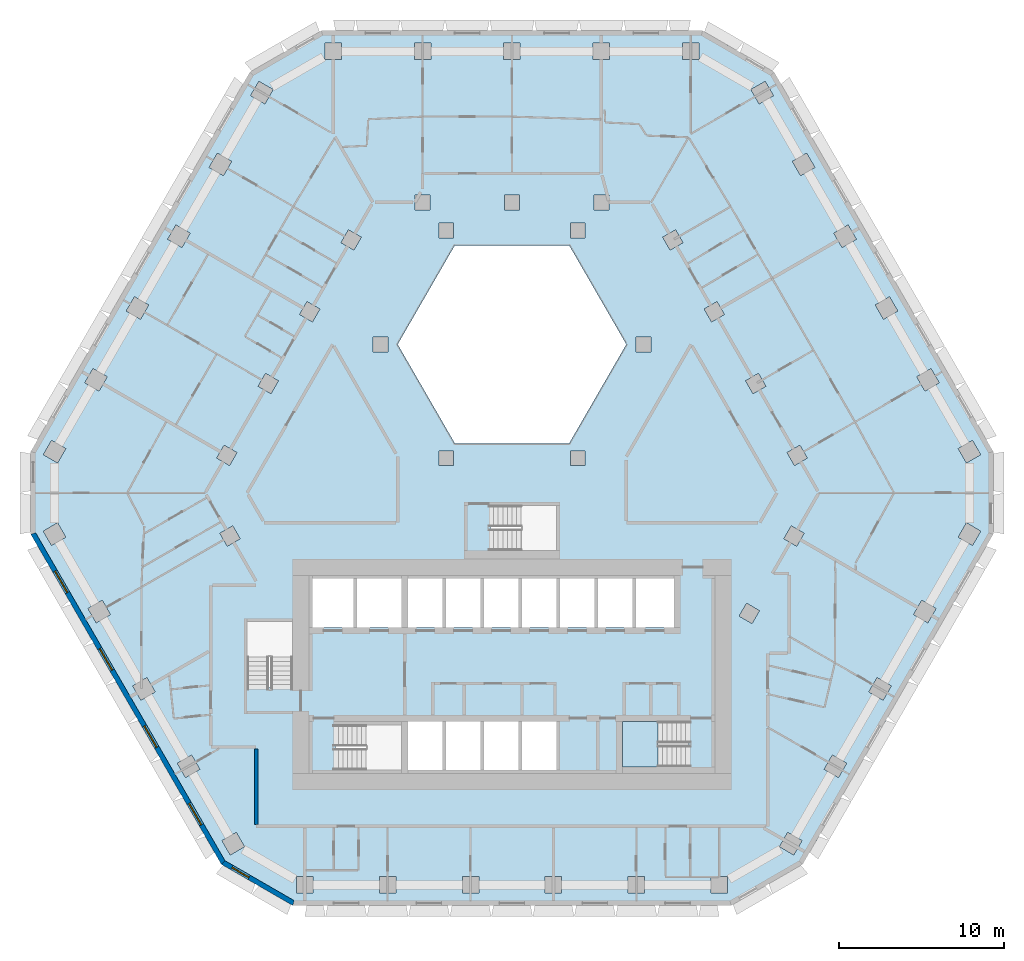
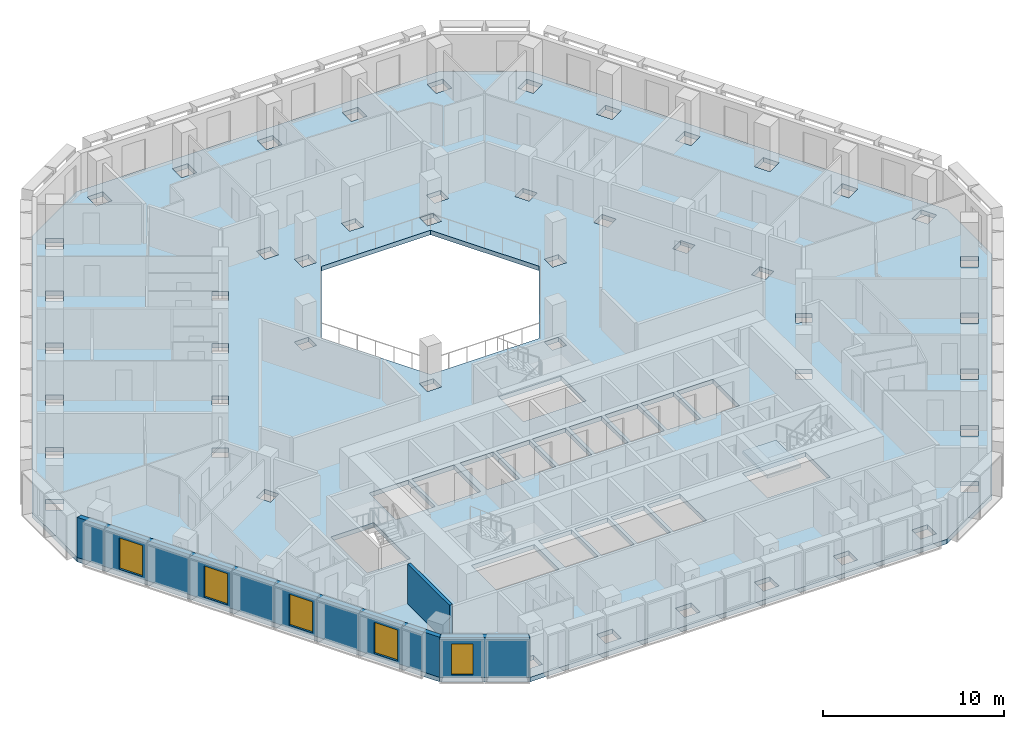
# One storey, part 2 of 16: 5 windows, 3 walls, 2 slabs, 5 openings, 1 element without a shape of its own.
"""IFC4 building model written with IfcOpenShell, lengths in metres."""

from ifc_helpers import new_model, si_unit, direction, frame, frame_2d, origin, place, context, subcontext, project, spatial, polyline, rectangle, outline, extrude, material, layer, layer_set, type_object, element, fill, aggregate, save


model = new_model("IFC4")

# Units and contexts
model_context = context("Model", 3, precision=1e-05, world=origin(), true_north=direction((0.0, 1.0)))
body_context = subcontext(model_context, "Body", "Model", "MODEL_VIEW")
ifc_project = project(units=[si_unit("LENGTHUNIT", "METRE"), si_unit("AREAUNIT", "SQUARE_METRE"), si_unit("VOLUMEUNIT", "CUBIC_METRE"), si_unit("PLANEANGLEUNIT", "RADIAN"), si_unit("MASSUNIT", "GRAM", prefix="KILO")], contexts=[model_context])

# Site, building, storey
site_placement = place(None, origin())
site = spatial("IfcSite", under=ifc_project, at=site_placement, CompositionType="ELEMENT")
building_placement = place(site_placement, origin())
building = spatial("IfcBuilding", under=site, at=building_placement, Name="Beryl Residences", CompositionType="ELEMENT")
storey_placement = place(building_placement, frame((0.0, 0.0, 90.0)))
storey = spatial("IfcBuildingStorey", under=building, at=storey_placement, Name="L27", CompositionType="ELEMENT", Elevation=90.0)

# Slab
ifc_material_1 = material(Name="Concrete C40/50", Category="concrete")
ifc_layer_1 = layer(ifc_material_1, 0.300048828125)
ifc_layer_set_1 = layer_set([ifc_layer_1], Name="SL7 PT floor slab 300 mm C40/50")
slab_type_1 = type_object("IfcSlabType", Name="SL7 PT floor slab 300 mm C40/50", PredefinedType="FLOOR", material=ifc_layer_set_1)
slab_1_placement = place(storey_placement, frame((0.0, 0.0, -0.300048828125)))
element("IfcSlab", 1, at=slab_1_placement, inside=storey, type_object=slab_type_1, Name="L27 slab 1", PredefinedType="FLOOR", context=body_context, shape_type="SweptSolid", body=[
    extrude(outline(polyline([(29.156982421875, -3.5), (17.60888671875, -23.5), (13.279052734375, -26.0), (-13.279052734375, -26.0), (-17.60888671875, -23.5), (-29.156982421875, -3.5), (-29.156982421875, 1.5), (-15.876953125, 24.5), (-11.547119140625, 27.0), (11.547119140625, 27.0), (15.876953125, 24.5), (29.156982421875, 1.5), (29.156982421875, -3.5)]), holes=[polyline([(28.39697265625, 1.31591796875), (27.89697265625, 2.181884765625), (27.031005859375, 1.681884765625), (27.531005859375, 0.81591796875), (28.39697265625, 1.31591796875)]), polyline([(28.39697265625, -3.31591796875), (27.531005859375, -2.81591796875), (27.031005859375, -3.681884765625), (27.89697265625, -4.181884765625), (28.39697265625, -3.31591796875)]), polyline([(25.385009765625, 6.532958984375), (24.51904296875, 6.032958984375), (25.01904296875, 5.1669921875), (25.885009765625, 5.6669921875), (25.385009765625, 6.532958984375)]), polyline([(25.68994140625, -8.00390625), (24.823974609375, -7.50390625), (24.323974609375, -8.3701171875), (25.18994140625, -8.8701171875), (25.68994140625, -8.00390625)]), polyline([(22.873046875, 10.883056640625), (22.007080078125, 10.383056640625), (22.507080078125, 9.51708984375), (23.373046875, 10.01708984375), (22.873046875, 10.883056640625)]), polyline([(22.116943359375, -12.19189453125), (21.616943359375, -13.05810546875), (22.48291015625, -13.55810546875), (22.98291015625, -12.69189453125), (22.116943359375, -12.19189453125)]), polyline([(20.362060546875, 15.23291015625), (19.49609375, 14.73291015625), (19.99609375, 13.866943359375), (20.862060546875, 14.366943359375), (20.362060546875, 15.23291015625)]), polyline([(19.777099609375, -18.24609375), (20.277099609375, -17.3798828125), (19.410888671875, -16.8798828125), (18.910888671875, -17.74609375), (19.777099609375, -18.24609375)]), polyline([(17.85009765625, 19.5830078125), (16.98388671875, 19.0830078125), (17.48388671875, 18.217041015625), (18.35009765625, 18.717041015625), (17.85009765625, 19.5830078125)]), polyline([(17.443115234375, 1.888916015625), (16.6630859375, 1.43896484375), (17.113037109375, 0.658935546875), (17.89306640625, 1.10888671875), (17.443115234375, 1.888916015625)]), polyline([(17.697998046875, -3.447021484375), (16.91796875, -2.9970703125), (16.468017578125, -3.777099609375), (17.248046875, -4.22705078125), (17.697998046875, -3.447021484375)]), polyline([(17.570068359375, -22.068115234375), (16.7041015625, -21.568115234375), (16.2041015625, -22.43408203125), (17.070068359375, -22.93408203125), (17.570068359375, -22.068115234375)]), polyline([(15.839111328125, 23.06689453125), (15.339111328125, 23.93310546875), (14.472900390625, 23.43310546875), (14.972900390625, 22.56689453125), (15.839111328125, 23.06689453125)]), polyline([(14.930908203125, 6.239990234375), (14.15087890625, 5.7900390625), (14.60107421875, 5.010009765625), (15.381103515625, 5.4599609375), (14.930908203125, 6.239990234375)]), polyline([(14.990966796875, -8.135009765625), (14.2109375, -7.68505859375), (13.760986328125, -8.465087890625), (14.541015625, -8.9150390625), (14.990966796875, -8.135009765625)]), polyline([(13.05810546875, -25.25), (13.05810546875, -24.25), (12.05810546875, -24.25), (12.05810546875, -25.25), (13.05810546875, -25.25)]), polyline([(12.419921875, 10.590087890625), (11.639892578125, 10.139892578125), (12.090087890625, 9.360107421875), (12.8701171875, 9.81005859375), (12.419921875, 10.590087890625)]), polyline([(11.324951171875, 26.25), (10.324951171875, 26.25), (10.324951171875, 25.25), (11.324951171875, 25.25), (11.324951171875, 26.25)]), polyline([(10.699951171875, -14.85009765625), (6.699951171875, -14.85009765625), (6.699951171875, -17.60009765625), (10.699951171875, -17.60009765625), (10.699951171875, -14.85009765625)]), polyline([(9.1279296875, 14.489990234375), (9.577880859375, 13.7099609375), (10.35791015625, 14.159912109375), (9.907958984375, 14.93994140625), (9.1279296875, 14.489990234375)]), polyline([(9.800048828125, -6.199951171875), (7.5, -6.199951171875), (7.5, -9.14990234375), (9.800048828125, -9.14990234375), (9.800048828125, -6.199951171875)]), polyline([(8.4169921875, 7.550048828125), (8.4169921875, 8.449951171875), (7.51708984375, 8.449951171875), (7.51708984375, 7.550048828125), (8.4169921875, 7.550048828125)]), polyline([(8.034912109375, -25.25), (8.034912109375, -24.25), (7.034912109375, -24.25), (7.034912109375, -25.25), (8.034912109375, -25.25)]), polyline([(5.199951171875, -6.199951171875), (5.199951171875, -9.14990234375), (7.300048828125, -9.14990234375), (7.300048828125, -6.199951171875), (5.199951171875, -6.199951171875)]), polyline([(3.464111328125, 14.0), (-3.464111328125, 14.0), (-6.92822265625, 8.0), (-3.464111328125, 2.0), (3.464111328125, 2.0), (6.92822265625, 8.0), (3.464111328125, 14.0)]), polyline([(4.912109375, 26.25), (4.912109375, 25.25), (5.912109375, 25.25), (5.912109375, 26.25), (4.912109375, 26.25)]), polyline([(4.9619140625, 17.050048828125), (4.9619140625, 16.14990234375), (5.862060546875, 16.14990234375), (5.862060546875, 17.050048828125), (4.9619140625, 17.050048828125)]), polyline([(2.89990234375, -9.14990234375), (5.0, -9.14990234375), (5.0, -6.199951171875), (2.89990234375, -6.199951171875), (2.89990234375, -9.14990234375)]), polyline([(4.43408203125, 14.449951171875), (4.43408203125, 15.35009765625), (3.533935546875, 15.35009765625), (3.533935546875, 14.449951171875), (4.43408203125, 14.449951171875)]), polyline([(4.43408203125, 0.64990234375), (4.43408203125, 1.550048828125), (3.533935546875, 1.550048828125), (3.533935546875, 0.64990234375), (4.43408203125, 0.64990234375)]), polyline([(2.011962890625, -25.25), (3.011962890625, -25.25), (3.011962890625, -24.25), (2.011962890625, -24.25), (2.011962890625, -25.25)]), polyline([(0.60009765625, -6.199951171875), (0.60009765625, -9.14990234375), (2.699951171875, -9.14990234375), (2.699951171875, -6.199951171875), (0.60009765625, -6.199951171875)]), polyline([(0.60009765625, -17.800048828125), (2.699951171875, -17.800048828125), (2.699951171875, -14.85009765625), (0.60009765625, -14.85009765625), (0.60009765625, -17.800048828125)]), polyline([(-1.300048828125, -1.75), (-1.300048828125, -4.5), (2.699951171875, -4.5), (2.699951171875, -1.75), (-1.300048828125, -1.75)]), polyline([(-0.5009765625, 25.25), (0.4990234375, 25.25), (0.4990234375, 26.25), (-0.5009765625, 26.25), (-0.5009765625, 25.25)]), polyline([(-0.450927734375, 17.050048828125), (-0.450927734375, 16.14990234375), (0.448974609375, 16.14990234375), (0.448974609375, 17.050048828125), (-0.450927734375, 17.050048828125)]), polyline([(-1.699951171875, -9.14990234375), (0.39990234375, -9.14990234375), (0.39990234375, -6.199951171875), (-1.699951171875, -6.199951171875), (-1.699951171875, -9.14990234375)]), polyline([(-1.699951171875, -17.800048828125), (0.39990234375, -17.800048828125), (0.39990234375, -14.85009765625), (-1.699951171875, -14.85009765625), (-1.699951171875, -17.800048828125)]), polyline([(-4.0, -9.14990234375), (-1.89990234375, -9.14990234375), (-1.89990234375, -6.199951171875), (-4.0, -6.199951171875), (-4.0, -9.14990234375)]), polyline([(-4.0, -17.800048828125), (-1.89990234375, -17.800048828125), (-1.89990234375, -14.85009765625), (-4.0, -14.85009765625), (-4.0, -17.800048828125)]), polyline([(-2.010986328125, -25.25), (-2.010986328125, -24.25), (-3.010986328125, -24.25), (-3.010986328125, -25.25), (-2.010986328125, -25.25)]), polyline([(-3.533935546875, 14.449951171875), (-3.533935546875, 15.35009765625), (-4.43408203125, 15.35009765625), (-4.43408203125, 14.449951171875), (-3.533935546875, 14.449951171875)]), polyline([(-3.533935546875, 0.64990234375), (-3.533935546875, 1.550048828125), (-4.43408203125, 1.550048828125), (-4.43408203125, 0.64990234375), (-3.533935546875, 0.64990234375)]), polyline([(-6.300048828125, -17.800048828125), (-4.199951171875, -17.800048828125), (-4.199951171875, -14.85009765625), (-6.300048828125, -14.85009765625), (-6.300048828125, -17.800048828125)]), polyline([(-6.300048828125, -9.14990234375), (-4.199951171875, -9.14990234375), (-4.199951171875, -6.199951171875), (-6.300048828125, -6.199951171875), (-6.300048828125, -9.14990234375)]), polyline([(-5.9140625, 26.25), (-5.9140625, 25.25), (-4.9140625, 25.25), (-4.9140625, 26.25), (-5.9140625, 26.25)]), polyline([(-5.864013671875, 16.14990234375), (-4.964111328125, 16.14990234375), (-4.964111328125, 17.050048828125), (-5.864013671875, 17.050048828125), (-5.864013671875, 16.14990234375)]), polyline([(-6.699951171875, -17.800048828125), (-6.699951171875, -15.050048828125), (-10.699951171875, -15.050048828125), (-10.699951171875, -17.800048828125), (-6.699951171875, -17.800048828125)]), polyline([(-9.39990234375, -9.14990234375), (-6.699951171875, -9.14990234375), (-6.699951171875, -6.199951171875), (-9.39990234375, -6.199951171875), (-9.39990234375, -9.14990234375)]), polyline([(-7.033935546875, -25.25), (-7.033935546875, -24.25), (-8.033935546875, -24.25), (-8.033935546875, -25.25), (-7.033935546875, -25.25)]), polyline([(-8.4169921875, 7.550048828125), (-7.51708984375, 7.550048828125), (-7.51708984375, 8.449951171875), (-8.4169921875, 8.449951171875), (-8.4169921875, 7.550048828125)]), polyline([(-9.577880859375, 13.7099609375), (-9.1279296875, 14.489990234375), (-9.907958984375, 14.93994140625), (-10.35791015625, 14.159912109375), (-9.577880859375, 13.7099609375)]), polyline([(-12.10009765625, -9.14990234375), (-9.60009765625, -9.14990234375), (-9.60009765625, -6.199951171875), (-12.10009765625, -6.199951171875), (-12.10009765625, -9.14990234375)]), polyline([(-11.326904296875, 26.25), (-11.326904296875, 25.25), (-10.326904296875, 25.25), (-10.326904296875, 26.25), (-11.326904296875, 26.25)]), polyline([(-12.868896484375, 9.81005859375), (-12.089111328125, 9.360107421875), (-11.638916015625, 10.139892578125), (-12.4189453125, 10.590087890625), (-12.868896484375, 9.81005859375)]), polyline([(-12.056884765625, -24.25), (-13.056884765625, -24.25), (-13.056884765625, -25.25), (-12.056884765625, -25.25), (-12.056884765625, -24.25)]), polyline([(-13.300048828125, -8.800048828125), (-16.050048828125, -8.800048828125), (-16.050048828125, -12.800048828125), (-13.300048828125, -12.800048828125), (-13.300048828125, -8.800048828125)]), polyline([(-15.381103515625, 5.4599609375), (-14.60107421875, 5.010009765625), (-14.15087890625, 5.7900390625), (-14.930908203125, 6.239990234375), (-15.381103515625, 5.4599609375)]), polyline([(-14.971923828125, 22.568115234375), (-14.471923828125, 23.43408203125), (-15.337890625, 23.93408203125), (-15.837890625, 23.068115234375), (-14.971923828125, 22.568115234375)]), polyline([(-17.070068359375, -22.93408203125), (-16.2041015625, -22.43408203125), (-16.7041015625, -21.568115234375), (-17.570068359375, -22.068115234375), (-17.070068359375, -22.93408203125)]), polyline([(-17.248046875, -4.22705078125), (-16.468017578125, -3.777099609375), (-16.91796875, -2.9970703125), (-17.697998046875, -3.447021484375), (-17.248046875, -4.22705078125)]), polyline([(-17.89208984375, 1.110107421875), (-17.112060546875, 0.659912109375), (-16.662109375, 1.43994140625), (-17.44189453125, 1.889892578125), (-17.89208984375, 1.110107421875)]), polyline([(-18.35009765625, 18.717041015625), (-17.48388671875, 18.217041015625), (-16.98388671875, 19.0830078125), (-17.85009765625, 19.5830078125), (-18.35009765625, 18.717041015625)]), polyline([(-19.777099609375, -18.24609375), (-18.910888671875, -17.74609375), (-19.410888671875, -16.8798828125), (-20.277099609375, -17.3798828125), (-19.777099609375, -18.24609375)]), polyline([(-20.861083984375, 14.366943359375), (-19.9951171875, 13.866943359375), (-19.4951171875, 14.73291015625), (-20.361083984375, 15.23291015625), (-20.861083984375, 14.366943359375)]), polyline([(-21.616943359375, -13.05810546875), (-22.116943359375, -12.19189453125), (-22.98291015625, -12.69189453125), (-22.48291015625, -13.55810546875), (-21.616943359375, -13.05810546875)]), polyline([(-23.373046875, 10.01708984375), (-22.507080078125, 9.51708984375), (-22.007080078125, 10.383056640625), (-22.873046875, 10.883056640625), (-23.373046875, 10.01708984375)]), polyline([(-25.18994140625, -8.8701171875), (-24.323974609375, -8.3701171875), (-24.823974609375, -7.50390625), (-25.68994140625, -8.00390625), (-25.18994140625, -8.8701171875)]), polyline([(-25.385009765625, 6.532958984375), (-25.885009765625, 5.6669921875), (-25.01904296875, 5.1669921875), (-24.51904296875, 6.032958984375), (-25.385009765625, 6.532958984375)]), polyline([(-28.39599609375, 1.31689453125), (-27.530029296875, 0.81689453125), (-27.030029296875, 1.68310546875), (-27.89599609375, 2.18310546875), (-28.39599609375, 1.31689453125)]), polyline([(-27.031005859375, -3.681884765625), (-27.531005859375, -2.81591796875), (-28.39697265625, -3.31591796875), (-27.89697265625, -4.181884765625), (-27.031005859375, -3.681884765625)])]), origin(), (0.0, 0.0, 1.0), 0.300048828125),
])

# Stair, slab
ifc_material_2 = material(Name="Concrete C40/50", Category="concrete")
stair_type = type_object("IfcStairType", Name="ST1 protected exit stair, half-turn, 1300 mm flights", PredefinedType="HALF_TURN_STAIR", material=ifc_material_2)
stair_placement = place(storey_placement, origin())
stair = element("IfcStair", 2, at=stair_placement, inside=storey, type_object=stair_type, Name="L27 PROTECTED EXIT STAIR ST-3", PredefinedType="HALF_TURN_STAIR")
ifc_material_3 = material(Name="Concrete C40/50", Category="concrete")
ifc_layer_2 = layer(ifc_material_3, 0.199951171875)
ifc_layer_set_2 = layer_set([ifc_layer_2], Name="SLD1 stair landing 200 mm")
slab_type_2 = type_object("IfcSlabType", Name="SLD1 stair landing 200 mm", PredefinedType="LANDING", material=ifc_layer_set_2)
slab_2_placement = place(storey_placement, frame((0.0, 0.0, 1.300048828125)))
slab_2 = element("IfcSlab", 3, at=slab_2_placement, type_object=slab_type_2, Name="ST-3 landing 1", PredefinedType="LANDING", context=body_context, shape_type="SweptSolid", body=[
    extrude(outline(polyline([(8.840087890625, -14.85009765625), (6.699951171875, -14.85009765625), (6.699951171875, -17.60009765625), (8.840087890625, -17.60009765625), (8.840087890625, -14.85009765625)])), origin(), (0.0, 0.0, 1.0), 0.199951171875),
])
aggregate(stair, [slab_2])

# Wall, openings, windows
ifc_material_4 = material(Name="Composite metal panel with mineral wool insulation")
ifc_layer_3 = layer(ifc_material_4, 0.300048828125)
ifc_layer_set_3 = layer_set([ifc_layer_3], Name="ES1 pale metal composite panel wall 300 mm")
wall_type_1 = type_object("IfcWallType", Name="ES1 pale metal composite panel wall 300 mm", PredefinedType="SOLIDWALL", material=ifc_layer_set_3)
wall_1_placement = place(storey_placement, frame((-29.027099609375, -3.425048828125, 0.0), z_axis=(0.0, 0.0, 1.0), x_axis=(0.500035407905, -0.866004960056, 0.0)))
wall_1 = element("IfcWall", 4, at=wall_1_placement, inside=storey, type_object=wall_type_1, Name="ES1 external wall L27 SW", PredefinedType="SOLIDWALL", context=body_context, shape_type="SweptSolid", body=[
    extrude(outline(polyline([(0.0, -0.14990234375), (23.094482421875, -0.14990234375), (23.01416015625, 0.14990234375), (0.080322265625, 0.14990234375), (0.0, -0.14990234375)])), origin(), (0.0, 0.0, 1.0), 2.699951171875),
])
opening_1_placement = place(wall_1_placement, frame((2.677001953125, 0.0, 0.14990234375)))
opening_1 = element("IfcOpeningElement", 5, at=opening_1_placement, cuts=wall_1, Name="Opening W1", PredefinedType="OPENING", context=body_context, shape_type="SweptSolid", body=[
    extrude(rectangle(XDim=1.5, YDim=2.10009765625, at=frame_2d((0.75, 1.050048828125))), frame((0.0, 0.159912109375, 0.0), z_axis=(0.0, -1.0, 0.0), x_axis=(1.0, 0.0, 0.0)), (0.0, 0.0, 1.0), 0.320068359375),
])
opening_2_placement = place(wall_1_placement, frame((8.091064453125, 0.0, 0.14990234375)))
opening_2 = element("IfcOpeningElement", 6, at=opening_2_placement, cuts=wall_1, Name="Opening W1", PredefinedType="OPENING", context=body_context, shape_type="SweptSolid", body=[
    extrude(rectangle(XDim=1.5, YDim=2.10009765625, at=frame_2d((0.75, 1.050048828125))), frame((0.0, 0.159912109375, 0.0), z_axis=(0.0, -1.0, 0.0), x_axis=(1.0, 0.0, 0.0)), (0.0, 0.0, 1.0), 0.320068359375),
])
opening_3_placement = place(wall_1_placement, frame((13.50390625, 0.0, 0.14990234375)))
opening_3 = element("IfcOpeningElement", 7, at=opening_3_placement, cuts=wall_1, Name="Opening W1", PredefinedType="OPENING", context=body_context, shape_type="SweptSolid", body=[
    extrude(rectangle(XDim=1.5, YDim=2.10009765625, at=frame_2d((0.75, 1.050048828125))), frame((0.0, 0.159912109375, 0.0), z_axis=(0.0, -1.0, 0.0), x_axis=(1.0, 0.0, 0.0)), (0.0, 0.0, 1.0), 0.320068359375),
])
opening_4_placement = place(wall_1_placement, frame((18.9169921875, 0.0, 0.14990234375)))
opening_4 = element("IfcOpeningElement", 8, at=opening_4_placement, cuts=wall_1, Name="Opening W1", PredefinedType="OPENING", context=body_context, shape_type="SweptSolid", body=[
    extrude(rectangle(XDim=1.5, YDim=2.10009765625, at=frame_2d((0.75, 1.050048828125))), frame((0.0, 0.159912109375, 0.0), z_axis=(0.0, -1.0, 0.0), x_axis=(1.0, 0.0, 0.0)), (0.0, 0.0, 1.0), 0.320068359375),
])
ifc_material_5 = material(Name="Aluminium and clear glass", Category="aluminium")
window_type_1 = type_object("IfcWindowType", Name="W1 cell window 1500 x 2100 mm", PartitioningType="SINGLE_PANEL", PredefinedType="WINDOW", material=ifc_material_5)
window_1_placement = place(opening_1_placement, origin())
window_1 = element("IfcWindow", 9, at=window_1_placement, inside=storey, type_object=window_type_1, Name="W1 window L27 SW 2", OverallHeight=2.10009765625, OverallWidth=1.5, PartitioningType="SINGLE_PANEL", PredefinedType="WINDOW", context=body_context, shape_type="SweptSolid", body=[
    extrude(rectangle(XDim=1.5, YDim=2.10009765625, at=frame_2d((0.75, 1.050048828125))), frame((0.0, 0.030029296875, 0.0), z_axis=(0.0, -1.0, 0.0), x_axis=(1.0, 0.0, 0.0)), (0.0, 0.0, 1.0), 0.06005859375),
])
fill(opening_1, window_1)
window_2_placement = place(opening_2_placement, origin())
window_2 = element("IfcWindow", 10, at=window_2_placement, inside=storey, type_object=window_type_1, Name="W1 window L27 SW 4", OverallHeight=2.10009765625, OverallWidth=1.5, PartitioningType="SINGLE_PANEL", PredefinedType="WINDOW", context=body_context, shape_type="SweptSolid", body=[
    extrude(rectangle(XDim=1.5, YDim=2.10009765625, at=frame_2d((0.75, 1.050048828125))), frame((0.0, 0.030029296875, 0.0), z_axis=(0.0, -1.0, 0.0), x_axis=(1.0, 0.0, 0.0)), (0.0, 0.0, 1.0), 0.06005859375),
])
fill(opening_2, window_2)
window_3_placement = place(opening_3_placement, origin())
window_3 = element("IfcWindow", 11, at=window_3_placement, inside=storey, type_object=window_type_1, Name="W1 window L27 SW 6", OverallHeight=2.10009765625, OverallWidth=1.5, PartitioningType="SINGLE_PANEL", PredefinedType="WINDOW", context=body_context, shape_type="SweptSolid", body=[
    extrude(rectangle(XDim=1.5, YDim=2.10009765625, at=frame_2d((0.75, 1.050048828125))), frame((0.0, 0.030029296875, 0.0), z_axis=(0.0, -1.0, 0.0), x_axis=(1.0, 0.0, 0.0)), (0.0, 0.0, 1.0), 0.06005859375),
])
fill(opening_3, window_3)
window_4_placement = place(opening_4_placement, origin())
window_4 = element("IfcWindow", 12, at=window_4_placement, inside=storey, type_object=window_type_1, Name="W1 window L27 SW 8", OverallHeight=2.10009765625, OverallWidth=1.5, PartitioningType="SINGLE_PANEL", PredefinedType="WINDOW", context=body_context, shape_type="SweptSolid", body=[
    extrude(rectangle(XDim=1.5, YDim=2.10009765625, at=frame_2d((0.75, 1.050048828125))), frame((0.0, 0.030029296875, 0.0), z_axis=(0.0, -1.0, 0.0), x_axis=(1.0, 0.0, 0.0)), (0.0, 0.0, 1.0), 0.06005859375),
])
fill(opening_4, window_4)

# Wall, opening, window
wall_2_placement = place(storey_placement, frame((-17.533935546875, -23.3701171875, 0.0), z_axis=(0.0, 0.0, 1.0), x_axis=(0.866010750942, -0.50002537861, 0.0)))
wall_2 = element("IfcWall", 13, at=wall_2_placement, inside=storey, type_object=wall_type_1, Name="ES1 external wall L27 SW-S", PredefinedType="SOLIDWALL", context=body_context, shape_type="SweptSolid", body=[
    extrude(outline(polyline([(0.0, -0.14990234375), (4.999755859375, -0.14990234375), (4.91943359375, 0.14990234375), (0.080322265625, 0.14990234375), (0.0, -0.14990234375)])), origin(), (0.0, 0.0, 1.0), 2.699951171875),
])
opening_5_placement = place(wall_2_placement, frame((0.64990234375, 0.0, 0.14990234375)))
opening_5 = element("IfcOpeningElement", 14, at=opening_5_placement, cuts=wall_2, Name="Opening W2", PredefinedType="OPENING", context=body_context, shape_type="SweptSolid", body=[
    extrude(rectangle(XDim=1.199951171875, YDim=2.10009765625, at=frame_2d((0.60009765625, 1.050048828125))), frame((0.0, 0.159912109375, 0.0), z_axis=(0.0, -1.0, 0.0), x_axis=(1.0, 0.0, 0.0)), (0.0, 0.0, 1.0), 0.320068359375),
])
ifc_material_6 = material(Name="Aluminium and clear glass", Category="aluminium")
window_type_2 = type_object("IfcWindowType", Name="W2 chamfer window 1200 x 2100 mm", PartitioningType="SINGLE_PANEL", PredefinedType="WINDOW", material=ifc_material_6)
window_5_placement = place(opening_5_placement, origin())
window_5 = element("IfcWindow", 15, at=window_5_placement, inside=storey, type_object=window_type_2, Name="W2 window L27 SW-S 1", OverallHeight=2.10009765625, OverallWidth=1.199951171875, PartitioningType="SINGLE_PANEL", PredefinedType="WINDOW", context=body_context, shape_type="SweptSolid", body=[
    extrude(rectangle(XDim=1.199951171875, YDim=2.10009765625, at=frame_2d((0.60009765625, 1.050048828125))), frame((0.0, 0.030029296875, 0.0), z_axis=(0.0, -1.0, 0.0), x_axis=(1.0, 0.0, 0.0)), (0.0, 0.0, 1.0), 0.06005859375),
])
fill(opening_5, window_5)

# Wall
ifc_material_7 = material(Name="Double stud gypsum board wall")
ifc_layer_4 = layer(ifc_material_7, 0.199951171875)
ifc_layer_set_4 = layer_set([ifc_layer_4], Name="PT4 corridor wall 200 mm double stud")
wall_type_2 = type_object("IfcWallType", Name="PT4 corridor wall 200 mm double stud", PredefinedType="PARTITIONING", material=ifc_layer_set_4)
wall_3_placement = place(storey_placement, frame((-15.5, -16.5009765625, 0.0), z_axis=(0.0, 0.0, 1.0), x_axis=(0.0, -1.0, 0.0)))
element("IfcWall", 16, at=wall_3_placement, inside=storey, type_object=wall_type_2, Name="Wall PT4 L27 007", PredefinedType="PARTITIONING", context=body_context, shape_type="SweptSolid", body=[
    extrude(rectangle(XDim=4.59814453125, YDim=0.199951171875, at=frame_2d((2.299072265625, 0.0))), origin(), (0.0, 0.0, 1.0), 2.699951171875),
])

save(model, "model.ifc")
